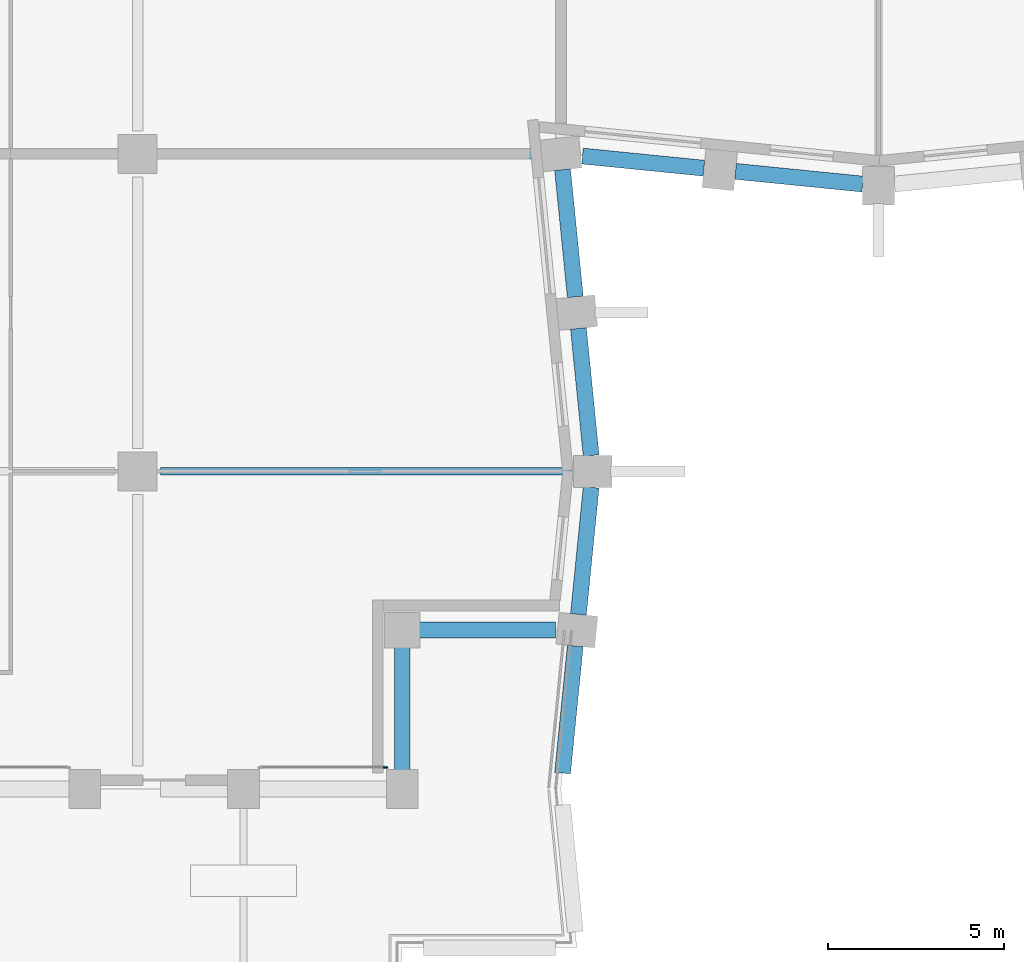
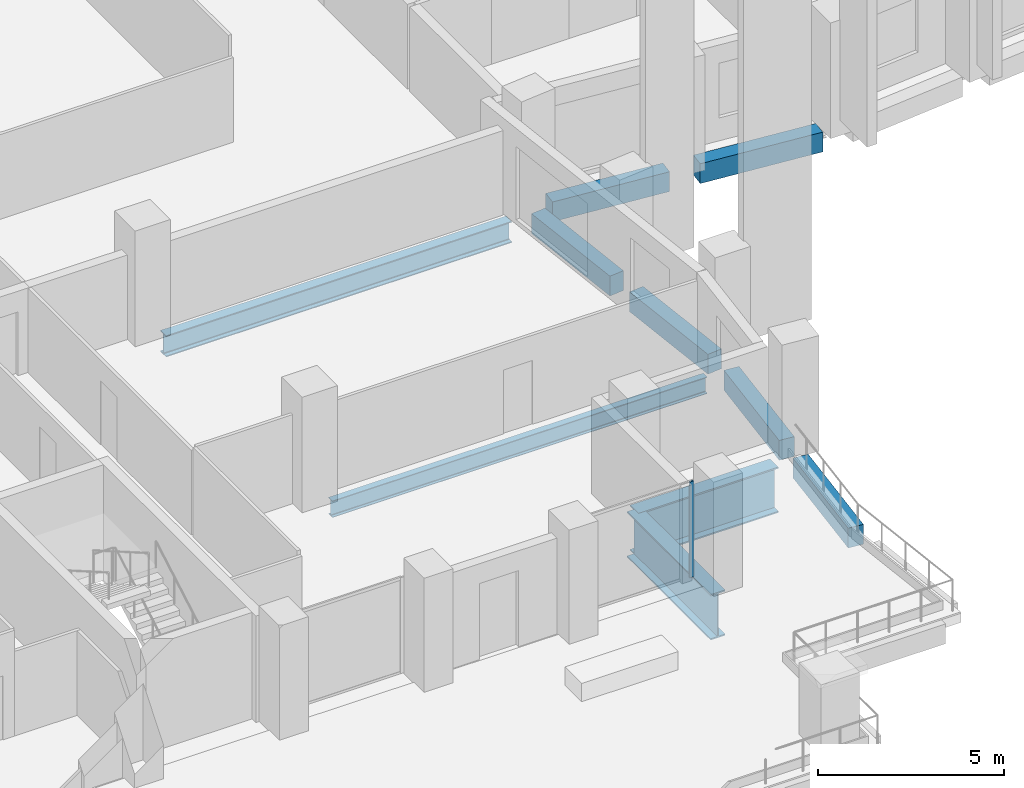
# One storey, part 5 of 18: 10 beams, 1 member, 1 element without a shape of its own.
"""IFC4 building model written with IfcOpenShell, lengths in metres."""

from ifc_helpers import new_model, si_unit, direction, frame, origin, origin_2d, place, context, subcontext, project, spatial, rectangle, i_section, extrude, material, material_profile, profile_set, type_object, element, aggregate, save


model = new_model("IFC4")

# Units and contexts
model_context = context("Model", 3, precision=1e-05, world=origin(), true_north=direction((0.0, 1.0)))
body_context = subcontext(model_context, "Body", "Model", "MODEL_VIEW")
ifc_project = project(units=[si_unit("LENGTHUNIT", "METRE"), si_unit("AREAUNIT", "SQUARE_METRE"), si_unit("VOLUMEUNIT", "CUBIC_METRE"), si_unit("PLANEANGLEUNIT", "RADIAN"), si_unit("MASSUNIT", "GRAM", prefix="KILO")], contexts=[model_context])

# Site, building, storey
site_placement = place(None, origin())
site = spatial("IfcSite", under=ifc_project, at=site_placement, CompositionType="ELEMENT")
building_placement = place(site_placement, origin())
building = spatial("IfcBuilding", under=site, at=building_placement, Name="Brondeck Convention Tower", CompositionType="ELEMENT")
storey_placement = place(building_placement, frame((0.0, 0.0, 143.39990234375)))
storey = spatial("IfcBuildingStorey", under=building, at=storey_placement, Name="L34", CompositionType="ELEMENT", Elevation=143.39990234375)

# Curtain wall, member
ifc_material_1 = material(Name="Aluminium, bronze anodised", Category="aluminium")
curtain_wall_type = type_object("IfcCurtainWallType", Name="Terrace door screen curtain wall", PredefinedType="NOTDEFINED", material=ifc_material_1)
curtain_wall_placement = place(storey_placement, origin())
curtain_wall = element("IfcCurtainWall", 1, at=curtain_wall_placement, inside=storey, type_object=curtain_wall_type, Name="ENV-CW6-L34-B-S9-06", PredefinedType="NOTDEFINED")
ifc_material_profile_1 = material_profile(ifc_material_1, rectangle(XDim=0.050048828125, YDim=0.1201171875, at=origin_2d()), Name="CW6 mullion")
ifc_profile_set_1 = profile_set([ifc_material_profile_1], Name="Aluminium, bronze anodised")
member_type = type_object("IfcMemberType", Name="CW6 mullion", PredefinedType="MULLION", material=ifc_profile_set_1)
member_placement = place(storey_placement, frame((31.02490234375, 9.610107421875, 0.0), z_axis=(0.0, 0.0, 1.0), x_axis=(0.0, -1.0, 0.0)))
member = element("IfcMember", 2, at=member_placement, type_object=member_type, Name="CW6 mullion 1", PredefinedType="MULLION", context=body_context, shape_type="SweptSolid", body=[
    extrude(rectangle(XDim=0.050048828125, YDim=0.1201171875, at=origin_2d()), origin(), (0.0, 0.0, 1.0), 3.150146484375),
])
aggregate(curtain_wall, [member])

# Beams
ifc_material_2 = material(Name="Steel S355", Category="steel")
ifc_material_profile_2 = material_profile(ifc_material_2, i_section(OverallWidth=0.2099609375, OverallDepth=0.550048828125, WebThickness=0.010986328125, FlangeThickness=0.01708984375, FilletRadius=0.02392578125, at=origin_2d()), Name="IPE 550")
ifc_profile_set_2 = profile_set([ifc_material_profile_2], Name="Steel S355")
beam_type_1 = type_object("IfcBeamType", Name="Floor beam IPE 550", PredefinedType="BEAM", material=ifc_profile_set_2)
beam_1_placement = place(storey_placement, frame((24.64990234375, 18.0, -0.574951171875), z_axis=(1.0, 0.0, 0.0), x_axis=(0.0, 1.0, 0.0)))
element("IfcBeam", 3, at=beam_1_placement, inside=storey, type_object=beam_type_1, Name="STR-FB-L34-007", PredefinedType="BEAM", context=body_context, shape_type="SweptSolid", body=[
    extrude(i_section(OverallWidth=0.2099609375, OverallDepth=0.550048828125, WebThickness=0.010986328125, FlangeThickness=0.01708984375, FilletRadius=0.02392578125, at=origin_2d()), origin(), (0.0, 0.0, 1.0), 11.650146484375),
])
ifc_material_profile_3 = material_profile(ifc_material_2, i_section(OverallWidth=0.300048828125, OverallDepth=0.699951171875, WebThickness=0.01708984375, FlangeThickness=0.031982421875, FilletRadius=0.027099609375, at=origin_2d()), Name="HEB 700")
ifc_profile_set_3 = profile_set([ifc_material_profile_3], Name="Steel S355")
beam_type_2 = type_object("IfcBeamType", Name="Girder HEB 700", PredefinedType="BEAM", material=ifc_profile_set_3)
beam_2_placement = place(storey_placement, frame((24.64990234375, 27.0, -0.64990234375), z_axis=(1.0, 0.0, 0.0), x_axis=(0.0, 1.0, 0.0)))
element("IfcBeam", 4, at=beam_2_placement, inside=storey, type_object=beam_type_2, Name="STR-GR-L34-019", PredefinedType="BEAM", context=body_context, shape_type="SweptSolid", body=[
    extrude(i_section(OverallWidth=0.300048828125, OverallDepth=0.699951171875, WebThickness=0.01708984375, FlangeThickness=0.031982421875, FilletRadius=0.027099609375, at=origin_2d()), origin(), (0.0, 0.0, 1.0), 10.7470703125),
])
ifc_material_3 = material(Name="Concrete C70/85", Category="concrete")
ifc_material_profile_4 = material_profile(ifc_material_3, rectangle(XDim=0.449951171875, YDim=0.64990234375, at=origin_2d()), Name="Precast spandrel 450x650 Concrete C70/85")
ifc_profile_set_4 = profile_set([ifc_material_profile_4], Name="Concrete C70/85")
beam_type_3 = type_object("IfcBeamType", Name="Precast spandrel 450x650 Concrete C70/85", PredefinedType="SPANDREL", material=ifc_profile_set_4)
for number, where, z_axis, x_axis, name in (
    (5, (36.494873046875, 13.94775390625, -0.324951171875), (0.099470334057, 0.995040528141, 0.0), (-0.995040528141, 0.099470334057, 0.0), "STR-SP-L34-001"),
    (6, (36.85498046875, 18.449951171875, -0.324951171875), (-0.099470334057, 0.995040528141, 0.0), (-0.995040528141, -0.099470334057, 0.0), "STR-SP-L34-002"),
):
    element("IfcBeam", number, at=place(storey_placement, frame(where, z_axis=z_axis, x_axis=x_axis)), inside=storey, type_object=beam_type_3, Name=name, PredefinedType="SPANDREL", context=body_context, shape_type="SweptSolid", body=[
        extrude(rectangle(XDim=0.449951171875, YDim=0.64990234375, at=origin_2d()), origin(), (0.0, 0.0, 1.0), 3.620361328125),
    ])
beam_3_placement = place(storey_placement, frame((36.4052734375, 22.94775390625, -0.324951171875), z_axis=(-0.099543756114, 0.995033185687, 0.0), x_axis=(-0.995033185687, -0.099543756114, 0.0)))
element("IfcBeam", 7, at=beam_3_placement, inside=storey, type_object=beam_type_3, Name="STR-SP-L34-003", PredefinedType="SPANDREL", context=body_context, shape_type="SweptSolid", body=[
    extrude(rectangle(XDim=0.449951171875, YDim=0.64990234375, at=origin_2d()), origin(), (0.0, 0.0, 1.0), 3.62255859375),
])
beam_4_placement = place(storey_placement, frame((36.609130859375, 26.939208984375, -0.324951171875), z_axis=(0.995032299082, -0.099552618167, 0.0), x_axis=(0.099552618167, 0.995032299082, 0.0)))
element("IfcBeam", 8, at=beam_4_placement, inside=storey, type_object=beam_type_3, Name="STR-SP-L34-004", PredefinedType="SPANDREL", context=body_context, shape_type="SweptSolid", body=[
    extrude(rectangle(XDim=0.449951171875, YDim=0.64990234375, at=origin_2d()), origin(), (0.0, 0.0, 1.0), 3.460205078125),
])
for number, where, z_axis, x_axis, name in (
    (9, (40.94775390625, 26.505126953125, -0.324951171875), (0.995040528141, -0.099470334057, 0.0), (0.099470334057, 0.995040528141, 0.0), "STR-SP-L34-005"),
    (10, (36.4052734375, 13.05224609375, -0.324951171875), (-0.099537103649, -0.995033851182, 0.0), (0.995033851182, -0.099537103649, 0.0), "STR-SP-L34T1-014"),
):
    element("IfcBeam", number, at=place(storey_placement, frame(where, z_axis=z_axis, x_axis=x_axis)), inside=storey, type_object=beam_type_3, Name=name, PredefinedType="SPANDREL", context=body_context, shape_type="SweptSolid", body=[
        extrude(rectangle(XDim=0.449951171875, YDim=0.64990234375, at=origin_2d()), origin(), (0.0, 0.0, 1.0), 3.620361328125),
    ])
ifc_material_4 = material(Name="Steel S460", Category="steel")
ifc_material_profile_5 = material_profile(ifc_material_4, i_section(OverallWidth=0.449951171875, OverallDepth=1.5, WebThickness=0.02490234375, FlangeThickness=0.044921875, at=origin_2d()), Name="PG 1500x450")
ifc_profile_set_5 = profile_set([ifc_material_profile_5], Name="Steel S460")
beam_type_4 = type_object("IfcBeamType", Name="Transfer girder PG 1500x450", PredefinedType="BEAM", material=ifc_profile_set_5)
beam_5_placement = place(storey_placement, frame((31.5, 9.0, -1.0498046875), z_axis=(0.0, 1.0, 0.0), x_axis=(-1.0, 0.0, 0.0)))
element("IfcBeam", 11, at=beam_5_placement, inside=storey, type_object=beam_type_4, Name="Setback transfer girder PG-L34-9", PredefinedType="BEAM", context=body_context, shape_type="SweptSolid", body=[
    extrude(i_section(OverallWidth=0.449951171875, OverallDepth=1.5, WebThickness=0.02490234375, FlangeThickness=0.044921875, at=origin_2d()), origin(), (0.0, 0.0, 1.0), 4.5),
])
beam_6_placement = place(storey_placement, frame((31.5, 13.5, -1.0498046875), z_axis=(1.0, 0.0, 0.0), x_axis=(0.0, 1.0, 0.0)))
element("IfcBeam", 12, at=beam_6_placement, inside=storey, type_object=beam_type_4, Name="Setback transfer girder PG-L34-10", PredefinedType="BEAM", context=body_context, shape_type="SweptSolid", body=[
    extrude(i_section(OverallWidth=0.449951171875, OverallDepth=1.5, WebThickness=0.02490234375, FlangeThickness=0.044921875, at=origin_2d()), origin(), (0.0, 0.0, 1.0), 4.346923828125),
])

save(model, "model.ifc")
